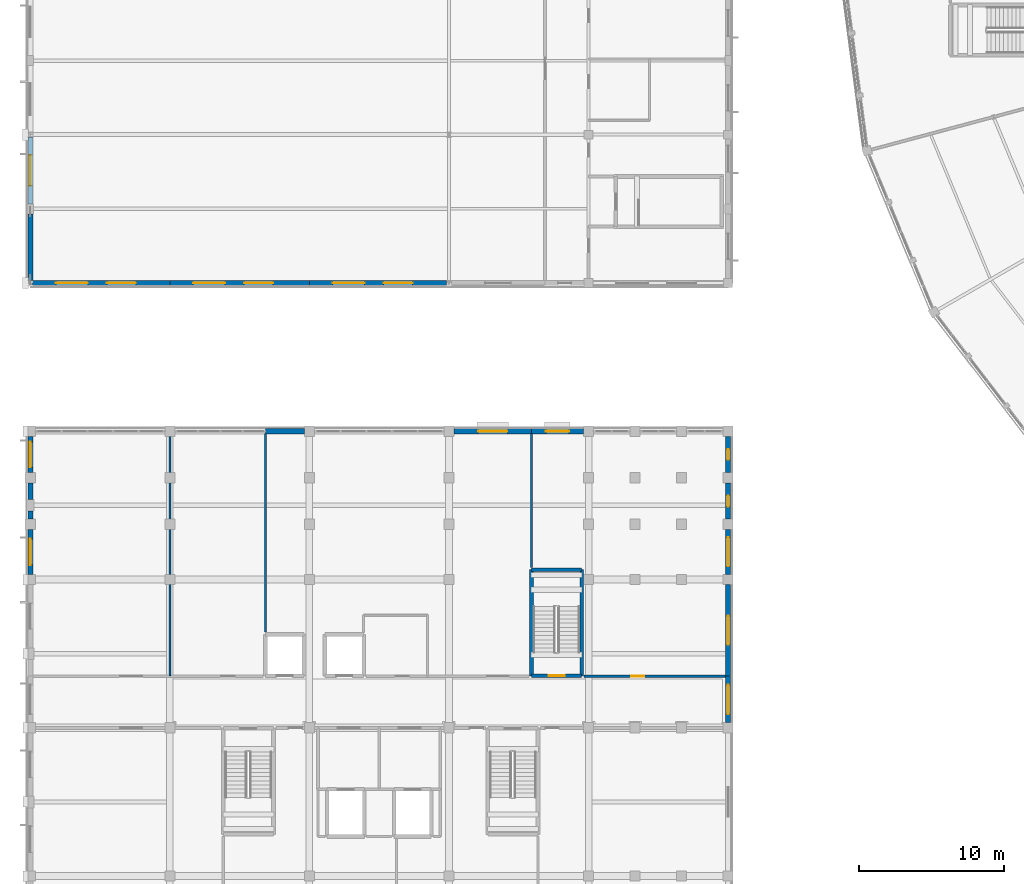
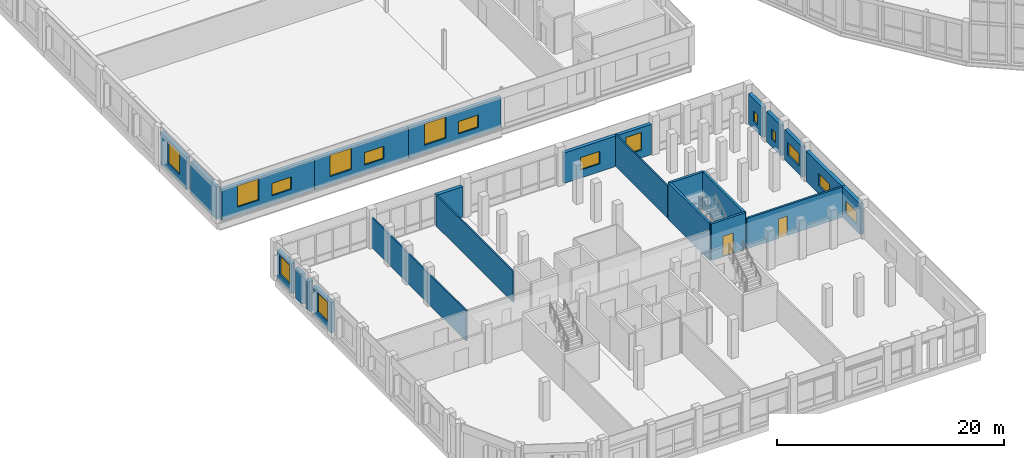
# One storey, part 157 of 185: 25 walls, 16 windows, 2 doors, 18 openings.
"""IFC4 building model written with IfcOpenShell, lengths in metres."""

from ifc_helpers import new_model, si_unit, direction, frame, frame_2d, origin, place, context, subcontext, project, spatial, rectangle, extrude, material, layer, layer_set, type_object, element, fill, save


model = new_model("IFC4")

# Units and contexts
model_context = context("Model", 3, precision=1e-05, world=origin(), true_north=direction((0.0, 1.0)))
body_context = subcontext(model_context, "Body", "Model", "MODEL_VIEW")
ifc_project = project(units=[si_unit("LENGTHUNIT", "METRE"), si_unit("AREAUNIT", "SQUARE_METRE"), si_unit("VOLUMEUNIT", "CUBIC_METRE"), si_unit("PLANEANGLEUNIT", "RADIAN"), si_unit("MASSUNIT", "GRAM", prefix="KILO")], contexts=[model_context])

# Site, building, storey
site_placement = place(None, origin())
site = spatial("IfcSite", under=ifc_project, at=site_placement, CompositionType="ELEMENT")
building_placement = place(site_placement, origin())
building = spatial("IfcBuilding", under=site, at=building_placement, Name="Vondelvale Polytechnic", CompositionType="ELEMENT")
storey_placement = place(building_placement, frame((0.0, 0.0, 9.60009765625)))
storey = spatial("IfcBuildingStorey", under=building, at=storey_placement, Name="L02", CompositionType="ELEMENT", Elevation=9.60009765625)

# Wall
ifc_material_1 = material(Name="Amsterdam School iron-spot clinker clay brickwork", Category="masonry")
ifc_layer_1 = layer(ifc_material_1, 0.35009765625)
ifc_layer_set_1 = layer_set([ifc_layer_1], Name="WL-BRICK-350")
wall_type_1 = type_object("IfcWallType", Name="WL-BRICK-350", PredefinedType="SOLIDWALL", material=ifc_layer_set_1)
wall_1_placement = place(storey_placement, frame((0.0, 51.16455078125, 0.0), z_axis=(0.0, 0.0, 1.0), x_axis=(0.0, 1.0, 0.0)))
element("IfcWall", 1, at=wall_1_placement, inside=storey, type_object=wall_type_1, Name="L02 exterior masonry facade wall", PredefinedType="SOLIDWALL", context=body_context, shape_type="SweptSolid", body=[
    extrude(rectangle(XDim=4.58447265625, YDim=0.35009765625, at=frame_2d((2.292236328125, 0.0))), origin(), (0.0, 0.0, 1.0), 3.47998046875),
])

# Wall, opening, window
wall_2_placement = place(storey_placement, frame((0.0, 56.450927734375, 0.0), z_axis=(0.0, 0.0, 1.0), x_axis=(0.0, 1.0, 0.0)))
wall_2 = element("IfcWall", 2, at=wall_2_placement, inside=storey, type_object=wall_type_1, Name="L02 exterior masonry facade wall", PredefinedType="SOLIDWALL", context=body_context, shape_type="SweptSolid", body=[
    extrude(rectangle(XDim=4.58447265625, YDim=0.35009765625, at=frame_2d((2.292236328125, 0.0))), origin(), (0.0, 0.0, 1.0), 3.47998046875),
])
opening_1_placement = place(wall_2_placement, frame((1.2421875, 0.0, 0.85009765625)))
opening_1 = element("IfcOpeningElement", 3, at=opening_1_placement, cuts=wall_2, Name="Opening WN-0081", PredefinedType="OPENING", context=body_context, shape_type="SweptSolid", body=[
    extrude(rectangle(XDim=2.10009765625, YDim=2.39990234375, at=frame_2d((1.050048828125, 1.199951171875))), frame((0.0, 0.18505859375, 0.0), z_axis=(0.0, -1.0, 0.0), x_axis=(1.0, 0.0, 0.0)), (0.0, 0.0, 1.0), 0.3701171875),
])
ifc_material_2 = material(Name="Double-glazed low-E insulated architectural glass", Category="glass")
window_type_1 = type_object("IfcWindowType", Name="WN-STUDIO-2100x2400", PartitioningType="SINGLE_PANEL", PredefinedType="WINDOW", material=ifc_material_2)
window_1_placement = place(opening_1_placement, origin())
window_1 = element("IfcWindow", 4, at=window_1_placement, inside=storey, type_object=window_type_1, Name="L02 double-glazed architectural window WN-0081", OverallHeight=2.39990234375, OverallWidth=2.10009765625, PartitioningType="SINGLE_PANEL", PredefinedType="WINDOW", context=body_context, shape_type="SweptSolid", body=[
    extrude(rectangle(XDim=2.10009765625, YDim=2.39990234375, at=frame_2d((1.050048828125, 1.199951171875))), frame((0.0, 0.030029296875, 0.0), z_axis=(0.0, -1.0, 0.0), x_axis=(1.0, 0.0, 0.0)), (0.0, 0.0, 1.0), 0.06005859375),
])
fill(opening_1, window_1)

# Wall, openings, windows
wall_3_placement = place(storey_placement, frame((9.60009765625, 51.0, 0.0), z_axis=(0.0, 0.0, 1.0), x_axis=(-1.0, 0.0, 0.0)))
wall_3 = element("IfcWall", 5, at=wall_3_placement, inside=storey, type_object=wall_type_1, Name="L02 exterior masonry facade wall", PredefinedType="SOLIDWALL", context=body_context, shape_type="SweptSolid", body=[
    extrude(rectangle(XDim=9.435546875, YDim=0.35009765625, at=frame_2d((4.7177734375, 0.0))), origin(), (0.0, 0.0, 1.0), 3.31982421875),
])
opening_2_placement = place(wall_3_placement, frame((5.635498046875, 0.0, 0.85009765625)))
opening_2 = element("IfcOpeningElement", 6, at=opening_2_placement, cuts=wall_3, Name="Opening WN-0106", PredefinedType="OPENING", context=body_context, shape_type="SweptSolid", body=[
    extrude(rectangle(XDim=2.199951171875, YDim=2.300048828125, at=frame_2d((1.10009765625, 1.14990234375))), frame((0.0, 0.18505859375, 0.0), z_axis=(0.0, -1.0, 0.0), x_axis=(1.0, 0.0, 0.0)), (0.0, 0.0, 1.0), 0.3701171875),
])
opening_3_placement = place(wall_3_placement, frame((2.33544921875, 0.0, 0.85009765625)))
opening_3 = element("IfcOpeningElement", 7, at=opening_3_placement, cuts=wall_3, Name="Opening WN-0107", PredefinedType="OPENING", context=body_context, shape_type="SweptSolid", body=[
    extrude(rectangle(XDim=2.0, YDim=1.35009765625, at=frame_2d((1.0, 0.675048828125))), frame((0.0, 0.18505859375, 0.0), z_axis=(0.0, -1.0, 0.0), x_axis=(1.0, 0.0, 0.0)), (0.0, 0.0, 1.0), 0.3701171875),
])
window_type_2 = type_object("IfcWindowType", Name="WN-RIB-2000x1350", PartitioningType="SINGLE_PANEL", PredefinedType="WINDOW", material=ifc_material_2)
window_2_placement = place(opening_3_placement, origin())
window_2 = element("IfcWindow", 8, at=window_2_placement, inside=storey, type_object=window_type_2, Name="L02 double-glazed architectural window WN-0107", OverallHeight=1.35009765625, OverallWidth=2.0, PartitioningType="SINGLE_PANEL", PredefinedType="WINDOW", context=body_context, shape_type="SweptSolid", body=[
    extrude(rectangle(XDim=2.0, YDim=1.35009765625, at=frame_2d((1.0, 0.675048828125))), frame((0.0, 0.030029296875, 0.0), z_axis=(0.0, -1.0, 0.0), x_axis=(1.0, 0.0, 0.0)), (0.0, 0.0, 1.0), 0.06005859375),
])
fill(opening_3, window_2)
window_type_3 = type_object("IfcWindowType", Name="WN-STUDIO-2200x2300", PartitioningType="SINGLE_PANEL", PredefinedType="WINDOW", material=ifc_material_2)
window_3_placement = place(opening_2_placement, origin())
window_3 = element("IfcWindow", 9, at=window_3_placement, inside=storey, type_object=window_type_3, Name="L02 double-glazed architectural window WN-0106", OverallHeight=2.300048828125, OverallWidth=2.199951171875, PartitioningType="SINGLE_PANEL", PredefinedType="WINDOW", context=body_context, shape_type="SweptSolid", body=[
    extrude(rectangle(XDim=2.199951171875, YDim=2.300048828125, at=frame_2d((1.10009765625, 1.14990234375))), frame((0.0, 0.030029296875, 0.0), z_axis=(0.0, -1.0, 0.0), x_axis=(1.0, 0.0, 0.0)), (0.0, 0.0, 1.0), 0.06005859375),
])
fill(opening_2, window_3)

wall_4_placement = place(storey_placement, frame((19.199951171875, 51.0, 0.0), z_axis=(0.0, 0.0, 1.0), x_axis=(-1.0, 0.0, 0.0)))
wall_4 = element("IfcWall", 10, at=wall_4_placement, inside=storey, type_object=wall_type_1, Name="L02 exterior masonry facade wall", PredefinedType="SOLIDWALL", context=body_context, shape_type="SweptSolid", body=[
    extrude(rectangle(XDim=9.599853515625, YDim=0.35009765625, at=frame_2d((4.7998046875, 0.0))), origin(), (0.0, 0.0, 1.0), 3.31982421875),
])
opening_4_placement = place(wall_4_placement, frame((5.800048828125, 0.0, 0.85009765625)))
opening_4 = element("IfcOpeningElement", 11, at=opening_4_placement, cuts=wall_4, Name="Opening WN-0108", PredefinedType="OPENING", context=body_context, shape_type="SweptSolid", body=[
    extrude(rectangle(XDim=2.199951171875, YDim=2.300048828125, at=frame_2d((1.10009765625, 1.14990234375))), frame((0.0, 0.18505859375, 0.0), z_axis=(0.0, -1.0, 0.0), x_axis=(1.0, 0.0, 0.0)), (0.0, 0.0, 1.0), 0.3701171875),
])
opening_5_placement = place(wall_4_placement, frame((2.5, 0.0, 0.85009765625)))
opening_5 = element("IfcOpeningElement", 12, at=opening_5_placement, cuts=wall_4, Name="Opening WN-0109", PredefinedType="OPENING", context=body_context, shape_type="SweptSolid", body=[
    extrude(rectangle(XDim=2.0, YDim=1.35009765625, at=frame_2d((1.0, 0.675048828125))), frame((0.0, 0.18505859375, 0.0), z_axis=(0.0, -1.0, 0.0), x_axis=(1.0, 0.0, 0.0)), (0.0, 0.0, 1.0), 0.3701171875),
])
window_4_placement = place(opening_5_placement, origin())
window_4 = element("IfcWindow", 13, at=window_4_placement, inside=storey, type_object=window_type_2, Name="L02 double-glazed architectural window WN-0109", OverallHeight=1.35009765625, OverallWidth=2.0, PartitioningType="SINGLE_PANEL", PredefinedType="WINDOW", context=body_context, shape_type="SweptSolid", body=[
    extrude(rectangle(XDim=2.0, YDim=1.35009765625, at=frame_2d((1.0, 0.675048828125))), frame((0.0, 0.030029296875, 0.0), z_axis=(0.0, -1.0, 0.0), x_axis=(1.0, 0.0, 0.0)), (0.0, 0.0, 1.0), 0.06005859375),
])
fill(opening_5, window_4)
window_5_placement = place(opening_4_placement, origin())
window_5 = element("IfcWindow", 14, at=window_5_placement, inside=storey, type_object=window_type_3, Name="L02 double-glazed architectural window WN-0108", OverallHeight=2.300048828125, OverallWidth=2.199951171875, PartitioningType="SINGLE_PANEL", PredefinedType="WINDOW", context=body_context, shape_type="SweptSolid", body=[
    extrude(rectangle(XDim=2.199951171875, YDim=2.300048828125, at=frame_2d((1.10009765625, 1.14990234375))), frame((0.0, 0.030029296875, 0.0), z_axis=(0.0, -1.0, 0.0), x_axis=(1.0, 0.0, 0.0)), (0.0, 0.0, 1.0), 0.06005859375),
])
fill(opening_4, window_5)

wall_5_placement = place(storey_placement, frame((28.635498046875, 51.0, 0.0), z_axis=(0.0, 0.0, 1.0), x_axis=(-1.0, 0.0, 0.0)))
wall_5 = element("IfcWall", 15, at=wall_5_placement, inside=storey, type_object=wall_type_1, Name="L02 exterior masonry facade wall", PredefinedType="SOLIDWALL", context=body_context, shape_type="SweptSolid", body=[
    extrude(rectangle(XDim=9.435546875, YDim=0.35009765625, at=frame_2d((4.7177734375, 0.0))), origin(), (0.0, 0.0, 1.0), 3.31982421875),
])
opening_6_placement = place(wall_5_placement, frame((5.635498046875, 0.0, 0.85009765625)))
opening_6 = element("IfcOpeningElement", 16, at=opening_6_placement, cuts=wall_5, Name="Opening WN-0110", PredefinedType="OPENING", context=body_context, shape_type="SweptSolid", body=[
    extrude(rectangle(XDim=2.199951171875, YDim=2.300048828125, at=frame_2d((1.10009765625, 1.14990234375))), frame((0.0, 0.18505859375, 0.0), z_axis=(0.0, -1.0, 0.0), x_axis=(1.0, 0.0, 0.0)), (0.0, 0.0, 1.0), 0.3701171875),
])
opening_7_placement = place(wall_5_placement, frame((2.33544921875, 0.0, 0.85009765625)))
opening_7 = element("IfcOpeningElement", 17, at=opening_7_placement, cuts=wall_5, Name="Opening WN-0111", PredefinedType="OPENING", context=body_context, shape_type="SweptSolid", body=[
    extrude(rectangle(XDim=2.0, YDim=1.35009765625, at=frame_2d((1.0, 0.675048828125))), frame((0.0, 0.18505859375, 0.0), z_axis=(0.0, -1.0, 0.0), x_axis=(1.0, 0.0, 0.0)), (0.0, 0.0, 1.0), 0.3701171875),
])
window_6_placement = place(opening_7_placement, origin())
window_6 = element("IfcWindow", 18, at=window_6_placement, inside=storey, type_object=window_type_2, Name="L02 double-glazed architectural window WN-0111", OverallHeight=1.35009765625, OverallWidth=2.0, PartitioningType="SINGLE_PANEL", PredefinedType="WINDOW", context=body_context, shape_type="SweptSolid", body=[
    extrude(rectangle(XDim=2.0, YDim=1.35009765625, at=frame_2d((1.0, 0.675048828125))), frame((0.0, 0.030029296875, 0.0), z_axis=(0.0, -1.0, 0.0), x_axis=(1.0, 0.0, 0.0)), (0.0, 0.0, 1.0), 0.06005859375),
])
fill(opening_7, window_6)
window_7_placement = place(opening_6_placement, origin())
window_7 = element("IfcWindow", 19, at=window_7_placement, inside=storey, type_object=window_type_3, Name="L02 double-glazed architectural window WN-0110", OverallHeight=2.300048828125, OverallWidth=2.199951171875, PartitioningType="SINGLE_PANEL", PredefinedType="WINDOW", context=body_context, shape_type="SweptSolid", body=[
    extrude(rectangle(XDim=2.199951171875, YDim=2.300048828125, at=frame_2d((1.10009765625, 1.14990234375))), frame((0.0, 0.030029296875, 0.0), z_axis=(0.0, -1.0, 0.0), x_axis=(1.0, 0.0, 0.0)), (0.0, 0.0, 1.0), 0.06005859375),
])
fill(opening_6, window_7)

# Wall, opening, window
wall_6_placement = place(storey_placement, frame((0.0, 30.950927734375, 0.0), z_axis=(0.0, 0.0, 1.0), x_axis=(0.0, 1.0, 0.0)))
wall_6 = element("IfcWall", 20, at=wall_6_placement, inside=storey, type_object=wall_type_1, Name="L02 exterior masonry facade wall", PredefinedType="SOLIDWALL", context=body_context, shape_type="SweptSolid", body=[
    extrude(rectangle(XDim=3.09814453125, YDim=0.35009765625, at=frame_2d((1.549072265625, 0.0))), origin(), (0.0, 0.0, 1.0), 3.27978515625),
])
opening_8_placement = place(wall_6_placement, frame((0.64892578125, 0.0, 0.85009765625)))
opening_8 = element("IfcOpeningElement", 21, at=opening_8_placement, cuts=wall_6, Name="Opening WN-0193", PredefinedType="OPENING", context=body_context, shape_type="SweptSolid", body=[
    extrude(rectangle(XDim=1.800048828125, YDim=2.10009765625, at=frame_2d((0.89990234375, 1.050048828125))), frame((0.0, 0.18505859375, 0.0), z_axis=(0.0, -1.0, 0.0), x_axis=(1.0, 0.0, 0.0)), (0.0, 0.0, 1.0), 0.3701171875),
])
window_type_4 = type_object("IfcWindowType", Name="WN-LAB-1800x2100", PartitioningType="SINGLE_PANEL", PredefinedType="WINDOW", material=ifc_material_2)
window_8_placement = place(opening_8_placement, origin())
window_8 = element("IfcWindow", 22, at=window_8_placement, inside=storey, type_object=window_type_4, Name="L02 double-glazed architectural window WN-0193", OverallHeight=2.10009765625, OverallWidth=1.800048828125, PartitioningType="SINGLE_PANEL", PredefinedType="WINDOW", context=body_context, shape_type="SweptSolid", body=[
    extrude(rectangle(XDim=1.800048828125, YDim=2.10009765625, at=frame_2d((0.89990234375, 1.050048828125))), frame((0.0, 0.030029296875, 0.0), z_axis=(0.0, -1.0, 0.0), x_axis=(1.0, 0.0, 0.0)), (0.0, 0.0, 1.0), 0.06005859375),
])
fill(opening_8, window_8)

# Walls
wall_7_placement = place(storey_placement, frame((0.0, 34.7509765625, 0.0), z_axis=(0.0, 0.0, 1.0), x_axis=(0.0, 1.0, 0.0)))
element("IfcWall", 23, at=wall_7_placement, inside=storey, type_object=wall_type_1, Name="L02 exterior masonry facade wall", PredefinedType="SOLIDWALL", context=body_context, shape_type="SweptSolid", body=[
    extrude(rectangle(XDim=0.548095703125, YDim=0.35009765625, at=frame_2d((0.27392578125, 0.0))), origin(), (0.0, 0.0, 1.0), 3.27978515625),
])
wall_8_placement = place(storey_placement, frame((0.0, 36.10107421875, 0.0), z_axis=(0.0, 0.0, 1.0), x_axis=(0.0, 1.0, 0.0)))
element("IfcWall", 24, at=wall_8_placement, inside=storey, type_object=wall_type_1, Name="L02 exterior masonry facade wall", PredefinedType="SOLIDWALL", context=body_context, shape_type="SweptSolid", body=[
    extrude(rectangle(XDim=1.14794921875, YDim=0.35009765625, at=frame_2d((0.573974609375, 0.0))), origin(), (0.0, 0.0, 1.0), 3.27978515625),
])

# Wall, opening, window
wall_9_placement = place(storey_placement, frame((0.0, 37.950927734375, 0.0), z_axis=(0.0, 0.0, 1.0), x_axis=(0.0, 1.0, 0.0)))
wall_9 = element("IfcWall", 25, at=wall_9_placement, inside=storey, type_object=wall_type_1, Name="L02 exterior masonry facade wall", PredefinedType="SOLIDWALL", context=body_context, shape_type="SweptSolid", body=[
    extrude(rectangle(XDim=2.498046875, YDim=0.35009765625, at=frame_2d((1.2490234375, 0.0))), origin(), (0.0, 0.0, 1.0), 3.27978515625),
])
opening_9_placement = place(wall_9_placement, frame((0.3740234375, 0.0, 0.85009765625)))
opening_9 = element("IfcOpeningElement", 26, at=opening_9_placement, cuts=wall_9, Name="Opening WN-0194", PredefinedType="OPENING", context=body_context, shape_type="SweptSolid", body=[
    extrude(rectangle(XDim=1.75, YDim=2.050048828125, at=frame_2d((0.875, 1.02490234375))), frame((0.0, 0.18505859375, 0.0), z_axis=(0.0, -1.0, 0.0), x_axis=(1.0, 0.0, 0.0)), (0.0, 0.0, 1.0), 0.3701171875),
])
window_type_5 = type_object("IfcWindowType", Name="WN-LAB-1750x2050", PartitioningType="SINGLE_PANEL", PredefinedType="WINDOW", material=ifc_material_2)
window_9_placement = place(opening_9_placement, origin())
window_9 = element("IfcWindow", 27, at=window_9_placement, inside=storey, type_object=window_type_5, Name="L02 double-glazed architectural window WN-0194", OverallHeight=2.050048828125, OverallWidth=1.75, PartitioningType="SINGLE_PANEL", PredefinedType="WINDOW", context=body_context, shape_type="SweptSolid", body=[
    extrude(rectangle(XDim=1.75, YDim=2.050048828125, at=frame_2d((0.875, 1.02490234375))), frame((0.0, 0.030029296875, 0.0), z_axis=(0.0, -1.0, 0.0), x_axis=(1.0, 0.0, 0.0)), (0.0, 0.0, 1.0), 0.06005859375),
])
fill(opening_9, window_9)

wall_10_placement = place(storey_placement, frame((48.0, 23.949951171875, 0.0), z_axis=(0.0, 0.0, 1.0), x_axis=(0.0, -1.0, 0.0)))
wall_10 = element("IfcWall", 28, at=wall_10_placement, inside=storey, type_object=wall_type_1, Name="L02 exterior masonry facade wall", PredefinedType="SOLIDWALL", context=body_context, shape_type="SweptSolid", body=[
    extrude(rectangle(XDim=3.198974609375, YDim=0.35009765625, at=frame_2d((1.599609375, 0.0))), origin(), (0.0, 0.0, 1.0), 3.27978515625),
])
opening_10_placement = place(wall_10_placement, frame((0.599609375, 0.0, 0.75)))
opening_10 = element("IfcOpeningElement", 29, at=opening_10_placement, cuts=wall_10, Name="Opening WN-0197", PredefinedType="OPENING", context=body_context, shape_type="SweptSolid", body=[
    extrude(rectangle(XDim=2.0, YDim=1.35009765625, at=frame_2d((1.0, 0.675048828125))), frame((0.0, 0.18505859375, 0.0), z_axis=(0.0, -1.0, 0.0), x_axis=(1.0, 0.0, 0.0)), (0.0, 0.0, 1.0), 0.3701171875),
])
window_10_placement = place(opening_10_placement, origin())
window_10 = element("IfcWindow", 30, at=window_10_placement, inside=storey, type_object=window_type_2, Name="L02 double-glazed architectural window WN-0197", OverallHeight=1.35009765625, OverallWidth=2.0, PartitioningType="SINGLE_PANEL", PredefinedType="WINDOW", context=body_context, shape_type="SweptSolid", body=[
    extrude(rectangle(XDim=2.0, YDim=1.35009765625, at=frame_2d((1.0, 0.675048828125))), frame((0.0, 0.030029296875, 0.0), z_axis=(0.0, -1.0, 0.0), x_axis=(1.0, 0.0, 0.0)), (0.0, 0.0, 1.0), 0.06005859375),
])
fill(opening_10, window_10)

wall_11_placement = place(storey_placement, frame((48.0, 30.2490234375, 0.0), z_axis=(0.0, 0.0, 1.0), x_axis=(0.0, -1.0, 0.0)))
wall_11 = element("IfcWall", 31, at=wall_11_placement, inside=storey, type_object=wall_type_1, Name="L02 exterior masonry facade wall", PredefinedType="SOLIDWALL", context=body_context, shape_type="SweptSolid", body=[
    extrude(rectangle(XDim=6.299072265625, YDim=0.35009765625, at=frame_2d((3.1494140625, 0.0))), origin(), (0.0, 0.0, 1.0), 3.27978515625),
])
opening_11_placement = place(wall_11_placement, frame((2.1494140625, 0.0, 0.85009765625)))
opening_11 = element("IfcOpeningElement", 32, at=opening_11_placement, cuts=wall_11, Name="Opening WN-0198", PredefinedType="OPENING", context=body_context, shape_type="SweptSolid", body=[
    extrude(rectangle(XDim=2.0, YDim=1.35009765625, at=frame_2d((1.0, 0.675048828125))), frame((0.0, 0.18505859375, 0.0), z_axis=(0.0, -1.0, 0.0), x_axis=(1.0, 0.0, 0.0)), (0.0, 0.0, 1.0), 0.3701171875),
])
window_11_placement = place(opening_11_placement, origin())
window_11 = element("IfcWindow", 33, at=window_11_placement, inside=storey, type_object=window_type_2, Name="L02 double-glazed architectural window WN-0198", OverallHeight=1.35009765625, OverallWidth=2.0, PartitioningType="SINGLE_PANEL", PredefinedType="WINDOW", context=body_context, shape_type="SweptSolid", body=[
    extrude(rectangle(XDim=2.0, YDim=1.35009765625, at=frame_2d((1.0, 0.675048828125))), frame((0.0, 0.030029296875, 0.0), z_axis=(0.0, -1.0, 0.0), x_axis=(1.0, 0.0, 0.0)), (0.0, 0.0, 1.0), 0.06005859375),
])
fill(opening_11, window_11)

wall_12_placement = place(storey_placement, frame((48.0, 40.448974609375, 0.0), z_axis=(0.0, 0.0, 1.0), x_axis=(0.0, -1.0, 0.0)))
wall_12 = element("IfcWall", 34, at=wall_12_placement, inside=storey, type_object=wall_type_1, Name="L02 exterior masonry facade wall", PredefinedType="SOLIDWALL", context=body_context, shape_type="SweptSolid", body=[
    extrude(rectangle(XDim=2.498046875, YDim=0.35009765625, at=frame_2d((1.2490234375, 0.0))), origin(), (0.0, 0.0, 1.0), 3.27978515625),
])
opening_12_placement = place(wall_12_placement, frame((0.8740234375, 0.0, 0.85009765625)))
opening_12 = element("IfcOpeningElement", 35, at=opening_12_placement, cuts=wall_12, Name="Opening WN-0199", PredefinedType="OPENING", context=body_context, shape_type="SweptSolid", body=[
    extrude(rectangle(XDim=0.75, YDim=1.10009765625, at=frame_2d((0.375, 0.550048828125))), frame((0.0, 0.18505859375, 0.0), z_axis=(0.0, -1.0, 0.0), x_axis=(1.0, 0.0, 0.0)), (0.0, 0.0, 1.0), 0.3701171875),
])
window_type_6 = type_object("IfcWindowType", Name="WN-WC-0750x1100", PartitioningType="SINGLE_PANEL", PredefinedType="WINDOW", material=ifc_material_2)
window_12_placement = place(opening_12_placement, origin())
window_12 = element("IfcWindow", 36, at=window_12_placement, inside=storey, type_object=window_type_6, Name="L02 double-glazed architectural window WN-0199", OverallHeight=1.10009765625, OverallWidth=0.75, PartitioningType="SINGLE_PANEL", PredefinedType="WINDOW", context=body_context, shape_type="SweptSolid", body=[
    extrude(rectangle(XDim=0.75, YDim=1.10009765625, at=frame_2d((0.375, 0.550048828125))), frame((0.0, 0.030029296875, 0.0), z_axis=(0.0, -1.0, 0.0), x_axis=(1.0, 0.0, 0.0)), (0.0, 0.0, 1.0), 0.06005859375),
])
fill(opening_12, window_12)

wall_13_placement = place(storey_placement, frame((48.0, 37.2490234375, 0.0), z_axis=(0.0, 0.0, 1.0), x_axis=(0.0, -1.0, 0.0)))
wall_13 = element("IfcWall", 37, at=wall_13_placement, inside=storey, type_object=wall_type_1, Name="L02 exterior masonry facade wall", PredefinedType="SOLIDWALL", context=body_context, shape_type="SweptSolid", body=[
    extrude(rectangle(XDim=2.498046875, YDim=0.35009765625, at=frame_2d((1.2490234375, 0.0))), origin(), (0.0, 0.0, 1.0), 3.27978515625),
])
opening_13_placement = place(wall_13_placement, frame((0.8740234375, 0.0, 0.85009765625)))
opening_13 = element("IfcOpeningElement", 38, at=opening_13_placement, cuts=wall_13, Name="Opening WN-0200", PredefinedType="OPENING", context=body_context, shape_type="SweptSolid", body=[
    extrude(rectangle(XDim=0.75, YDim=1.10009765625, at=frame_2d((0.375, 0.550048828125))), frame((0.0, 0.18505859375, 0.0), z_axis=(0.0, -1.0, 0.0), x_axis=(1.0, 0.0, 0.0)), (0.0, 0.0, 1.0), 0.3701171875),
])
window_13_placement = place(opening_13_placement, origin())
window_13 = element("IfcWindow", 39, at=window_13_placement, inside=storey, type_object=window_type_6, Name="L02 double-glazed architectural window WN-0200", OverallHeight=1.10009765625, OverallWidth=0.75, PartitioningType="SINGLE_PANEL", PredefinedType="WINDOW", context=body_context, shape_type="SweptSolid", body=[
    extrude(rectangle(XDim=0.75, YDim=1.10009765625, at=frame_2d((0.375, 0.550048828125))), frame((0.0, 0.030029296875, 0.0), z_axis=(0.0, -1.0, 0.0), x_axis=(1.0, 0.0, 0.0)), (0.0, 0.0, 1.0), 0.06005859375),
])
fill(opening_13, window_13)

wall_14_placement = place(storey_placement, frame((48.0, 34.049072265625, 0.0), z_axis=(0.0, 0.0, 1.0), x_axis=(0.0, -1.0, 0.0)))
wall_14 = element("IfcWall", 40, at=wall_14_placement, inside=storey, type_object=wall_type_1, Name="L02 exterior masonry facade wall", PredefinedType="SOLIDWALL", context=body_context, shape_type="SweptSolid", body=[
    extrude(rectangle(XDim=3.09814453125, YDim=0.35009765625, at=frame_2d((1.549072265625, 0.0))), origin(), (0.0, 0.0, 1.0), 3.27978515625),
])
opening_14_placement = place(wall_14_placement, frame((0.549072265625, 0.0, 0.85009765625)))
opening_14 = element("IfcOpeningElement", 41, at=opening_14_placement, cuts=wall_14, Name="Opening WN-0201", PredefinedType="OPENING", context=body_context, shape_type="SweptSolid", body=[
    extrude(rectangle(XDim=2.0, YDim=1.35009765625, at=frame_2d((1.0, 0.675048828125))), frame((0.0, 0.18505859375, 0.0), z_axis=(0.0, -1.0, 0.0), x_axis=(1.0, 0.0, 0.0)), (0.0, 0.0, 1.0), 0.3701171875),
])
window_14_placement = place(opening_14_placement, origin())
window_14 = element("IfcWindow", 42, at=window_14_placement, inside=storey, type_object=window_type_2, Name="L02 double-glazed architectural window WN-0201", OverallHeight=1.35009765625, OverallWidth=2.0, PartitioningType="SINGLE_PANEL", PredefinedType="WINDOW", context=body_context, shape_type="SweptSolid", body=[
    extrude(rectangle(XDim=2.0, YDim=1.35009765625, at=frame_2d((1.0, 0.675048828125))), frame((0.0, 0.030029296875, 0.0), z_axis=(0.0, -1.0, 0.0), x_axis=(1.0, 0.0, 0.0)), (0.0, 0.0, 1.0), 0.06005859375),
])
fill(opening_14, window_14)

# Wall
wall_15_placement = place(storey_placement, frame((16.175048828125, 40.800048828125, 0.0), z_axis=(0.0, 0.0, 1.0), x_axis=(1.0, 0.0, 0.0)))
element("IfcWall", 43, at=wall_15_placement, inside=storey, type_object=wall_type_1, Name="L02 exterior masonry facade wall", PredefinedType="SOLIDWALL", context=body_context, shape_type="SweptSolid", body=[
    extrude(rectangle(XDim=2.674072265625, YDim=0.35009765625, at=frame_2d((1.3369140625, 0.0))), origin(), (0.0, 0.0, 1.0), 3.27978515625),
])

# Wall, opening, window
wall_16_placement = place(storey_placement, frame((29.15087890625, 40.800048828125, 0.0), z_axis=(0.0, 0.0, 1.0), x_axis=(1.0, 0.0, 0.0)))
wall_16 = element("IfcWall", 44, at=wall_16_placement, inside=storey, type_object=wall_type_1, Name="L02 exterior masonry facade wall", PredefinedType="SOLIDWALL", context=body_context, shape_type="SweptSolid", body=[
    extrude(rectangle(XDim=5.32421875, YDim=0.35009765625, at=frame_2d((2.662109375, 0.0))), origin(), (0.0, 0.0, 1.0), 3.27978515625),
])
opening_15_placement = place(wall_16_placement, frame((1.662109375, 0.0, 0.85009765625)))
opening_15 = element("IfcOpeningElement", 45, at=opening_15_placement, cuts=wall_16, Name="Opening WN-0202", PredefinedType="OPENING", context=body_context, shape_type="SweptSolid", body=[
    extrude(rectangle(XDim=2.0, YDim=1.35009765625, at=frame_2d((1.0, 0.675048828125))), frame((0.0, 0.18505859375, 0.0), z_axis=(0.0, -1.0, 0.0), x_axis=(1.0, 0.0, 0.0)), (0.0, 0.0, 1.0), 0.3701171875),
])
window_15_placement = place(opening_15_placement, origin())
window_15 = element("IfcWindow", 46, at=window_15_placement, inside=storey, type_object=window_type_2, Name="L02 double-glazed architectural window WN-0202", OverallHeight=1.35009765625, OverallWidth=2.0, PartitioningType="SINGLE_PANEL", PredefinedType="WINDOW", context=body_context, shape_type="SweptSolid", body=[
    extrude(rectangle(XDim=2.0, YDim=1.35009765625, at=frame_2d((1.0, 0.675048828125))), frame((0.0, 0.030029296875, 0.0), z_axis=(0.0, -1.0, 0.0), x_axis=(1.0, 0.0, 0.0)), (0.0, 0.0, 1.0), 0.06005859375),
])
fill(opening_15, window_15)

wall_17_placement = place(storey_placement, frame((34.47509765625, 40.800048828125, 0.0), z_axis=(0.0, 0.0, 1.0), x_axis=(1.0, 0.0, 0.0)))
wall_17 = element("IfcWall", 47, at=wall_17_placement, inside=storey, type_object=wall_type_1, Name="L02 exterior masonry facade wall", PredefinedType="SOLIDWALL", context=body_context, shape_type="SweptSolid", body=[
    extrude(rectangle(XDim=3.573974609375, YDim=0.35009765625, at=frame_2d((1.787109375, 0.0))), origin(), (0.0, 0.0, 1.0), 3.27978515625),
])
opening_16_placement = place(wall_17_placement, frame((0.987060546875, 0.0, 0.85009765625)))
opening_16 = element("IfcOpeningElement", 48, at=opening_16_placement, cuts=wall_17, Name="Opening WN-0203", PredefinedType="OPENING", context=body_context, shape_type="SweptSolid", body=[
    extrude(rectangle(XDim=1.60009765625, YDim=1.89990234375, at=frame_2d((0.800048828125, 0.949951171875))), frame((0.0, 0.18505859375, 0.0), z_axis=(0.0, -1.0, 0.0), x_axis=(1.0, 0.0, 0.0)), (0.0, 0.0, 1.0), 0.3701171875),
])
window_type_7 = type_object("IfcWindowType", Name="WN-SEM-1600x1900", PartitioningType="SINGLE_PANEL", PredefinedType="WINDOW", material=ifc_material_2)
window_16_placement = place(opening_16_placement, origin())
window_16 = element("IfcWindow", 49, at=window_16_placement, inside=storey, type_object=window_type_7, Name="L02 double-glazed architectural window WN-0203", OverallHeight=1.89990234375, OverallWidth=1.60009765625, PartitioningType="SINGLE_PANEL", PredefinedType="WINDOW", context=body_context, shape_type="SweptSolid", body=[
    extrude(rectangle(XDim=1.60009765625, YDim=1.89990234375, at=frame_2d((0.800048828125, 0.949951171875))), frame((0.0, 0.030029296875, 0.0), z_axis=(0.0, -1.0, 0.0), x_axis=(1.0, 0.0, 0.0)), (0.0, 0.0, 1.0), 0.06005859375),
])
fill(opening_16, window_16)

# Walls
ifc_material_3 = material(Name="Concrete N40 (f'c = 40 MPa)", Category="concrete")
ifc_layer_2 = layer(ifc_material_3, 0.25)
ifc_layer_set_2 = layer_set([ifc_layer_2], Name="WL-CORE-250")
wall_type_2 = type_object("IfcWallType", Name="WL-CORE-250", PredefinedType="SOLIDWALL", material=ifc_layer_set_2)
wall_18_placement = place(storey_placement, frame((37.925048828125, 23.97509765625, 0.0), z_axis=(0.0, 0.0, 1.0), x_axis=(0.0, 1.0, 0.0)))
element("IfcWall", 50, at=wall_18_placement, inside=storey, type_object=wall_type_2, Name="L02 ST-05 reinforced concrete stair core wall", PredefinedType="SOLIDWALL", context=body_context, shape_type="SweptSolid", body=[
    extrude(rectangle(XDim=7.2998046875, YDim=0.25, at=frame_2d((3.64990234375, 0.0))), origin(), (0.0, 0.0, 1.0), 3.949951171875),
])
wall_19_placement = place(storey_placement, frame((37.925048828125, 31.27490234375, 0.0), z_axis=(0.0, 0.0, 1.0), x_axis=(-1.0, 0.0, 0.0)))
element("IfcWall", 51, at=wall_19_placement, inside=storey, type_object=wall_type_2, Name="L02 ST-05 reinforced concrete stair core wall", PredefinedType="SOLIDWALL", context=body_context, shape_type="SweptSolid", body=[
    extrude(rectangle(XDim=3.449951171875, YDim=0.25, at=frame_2d((1.72509765625, 0.0))), origin(), (0.0, 0.0, 1.0), 3.949951171875),
])
wall_20_placement = place(storey_placement, frame((34.47509765625, 31.27490234375, 0.0), z_axis=(0.0, 0.0, 1.0), x_axis=(0.0, -1.0, 0.0)))
element("IfcWall", 52, at=wall_20_placement, inside=storey, type_object=wall_type_2, Name="L02 ST-05 reinforced concrete stair core wall", PredefinedType="SOLIDWALL", context=body_context, shape_type="SweptSolid", body=[
    extrude(rectangle(XDim=7.2998046875, YDim=0.25, at=frame_2d((3.64990234375, 0.0))), origin(), (0.0, 0.0, 1.0), 3.949951171875),
])

# Wall, opening, door
wall_21_placement = place(storey_placement, frame((34.47509765625, 23.97509765625, 0.0), z_axis=(0.0, 0.0, 1.0), x_axis=(1.0, 0.0, 0.0)))
wall_21 = element("IfcWall", 53, at=wall_21_placement, inside=storey, type_object=wall_type_2, Name="L02 ST-05 reinforced concrete stair core wall", PredefinedType="SOLIDWALL", context=body_context, shape_type="SweptSolid", body=[
    extrude(rectangle(XDim=3.449951171875, YDim=0.25, at=frame_2d((1.72509765625, 0.0))), origin(), (0.0, 0.0, 1.0), 3.949951171875),
])
opening_17_placement = place(wall_21_placement, frame((1.175048828125, 0.0, 0.0)))
opening_17 = element("IfcOpeningElement", 54, at=opening_17_placement, cuts=wall_21, Name="Opening SD-030", PredefinedType="OPENING", context=body_context, shape_type="SweptSolid", body=[
    extrude(rectangle(XDim=1.10009765625, YDim=2.199951171875, at=frame_2d((0.550048828125, 1.10009765625))), frame((0.0, 0.135009765625, 0.0), z_axis=(0.0, -1.0, 0.0), x_axis=(1.0, 0.0, 0.0)), (0.0, 0.0, 1.0), 0.27001953125),
])
ifc_material_4 = material(Name="Brushed architectural stainless and zinc-coated metal")
door_type_1 = type_object("IfcDoorType", Name="DR-STAIR-1100x2200", OperationType="SINGLE_SWING_LEFT", PredefinedType="DOOR", material=ifc_material_4)
door_1_placement = place(opening_17_placement, origin())
door_1 = element("IfcDoor", 55, at=door_1_placement, inside=storey, type_object=door_type_1, Name="L02 ST-05 fire-isolated stair door", OperationType="SINGLE_SWING_RIGHT", OverallHeight=2.199951171875, OverallWidth=1.10009765625, PredefinedType="DOOR", context=body_context, shape_type="SweptSolid", body=[
    extrude(rectangle(XDim=1.10009765625, YDim=2.199951171875, at=frame_2d((0.550048828125, 1.10009765625))), frame((0.0, 0.02490234375, 0.0), z_axis=(0.0, -1.0, 0.0), x_axis=(1.0, 0.0, 0.0)), (0.0, 0.0, 1.0), 0.050048828125),
])
fill(opening_17, door_1)

ifc_material_5 = material(Name="Fire-rated double-layer plasterboard stud partition")
ifc_layer_3 = layer(ifc_material_5, 0.199951171875)
ifc_layer_set_3 = layer_set([ifc_layer_3], Name="WL-CORR-200")
wall_type_3 = type_object("IfcWallType", Name="WL-CORR-200", PredefinedType="PARTITIONING", material=ifc_layer_set_3)
wall_22_placement = place(storey_placement, frame((38.090087890625, 23.949951171875, 0.0), z_axis=(0.0, 0.0, 1.0), x_axis=(1.0, 0.0, 0.0)))
wall_22 = element("IfcWall", 56, at=wall_22_placement, inside=storey, type_object=wall_type_3, Name="L02 interior acoustic partition", PredefinedType="PARTITIONING", context=body_context, shape_type="SweptSolid", body=[
    extrude(rectangle(XDim=9.760009765625, YDim=0.199951171875, at=frame_2d((4.8798828125, 0.0))), origin(), (0.0, 0.0, 1.0), 3.27978515625),
])
opening_18_placement = place(wall_22_placement, frame((3.235107421875, 0.0, 0.0)))
opening_18 = element("IfcOpeningElement", 57, at=opening_18_placement, cuts=wall_22, Name="Opening ID-0166", PredefinedType="OPENING", context=body_context, shape_type="SweptSolid", body=[
    extrude(rectangle(XDim=0.919921875, YDim=2.10009765625, at=frame_2d((0.4599609375, 1.050048828125))), frame((0.0, 0.10986328125, 0.0), z_axis=(0.0, -1.0, 0.0), x_axis=(1.0, 0.0, 0.0)), (0.0, 0.0, 1.0), 0.219970703125),
])
ifc_material_6 = material(Name="Fire-rated solid Tasmanian oak joinery")
door_type_2 = type_object("IfcDoorType", Name="DR-INT-0920x2100", OperationType="SINGLE_SWING_LEFT", PredefinedType="DOOR", material=ifc_material_6)
door_2_placement = place(opening_18_placement, origin())
door_2 = element("IfcDoor", 58, at=door_2_placement, inside=storey, type_object=door_type_2, Name="L02 interior room door ID-0166", OperationType="SINGLE_SWING_RIGHT", OverallHeight=2.10009765625, OverallWidth=0.919921875, PredefinedType="DOOR", context=body_context, shape_type="SweptSolid", body=[
    extrude(rectangle(XDim=0.919921875, YDim=2.10009765625, at=frame_2d((0.4599609375, 1.050048828125))), frame((0.0, 0.02490234375, 0.0), z_axis=(0.0, -1.0, 0.0), x_axis=(1.0, 0.0, 0.0)), (0.0, 0.0, 1.0), 0.050048828125),
])
fill(opening_18, door_2)

# Walls
ifc_layer_4 = layer(ifc_material_5, 0.14990234375)
ifc_layer_set_4 = layer_set([ifc_layer_4], Name="WL-INT-150")
wall_type_4 = type_object("IfcWallType", Name="WL-INT-150", PredefinedType="PARTITIONING", material=ifc_layer_set_4)
wall_23_placement = place(storey_placement, frame((9.60009765625, 23.949951171875, 0.0), z_axis=(0.0, 0.0, 1.0), x_axis=(0.0, 1.0, 0.0)))
element("IfcWall", 59, at=wall_23_placement, inside=storey, type_object=wall_type_4, Name="L02 interior acoustic partition", PredefinedType="PARTITIONING", context=body_context, shape_type="SweptSolid", body=[
    extrude(rectangle(XDim=16.699951171875, YDim=0.14990234375, at=frame_2d((8.35009765625, 0.0))), origin(), (0.0, 0.0, 1.0), 3.27978515625),
])
wall_24_placement = place(storey_placement, frame((16.175048828125, 26.989990234375, 0.0), z_axis=(0.0, 0.0, 1.0), x_axis=(0.0, 1.0, 0.0)))
element("IfcWall", 60, at=wall_24_placement, inside=storey, type_object=wall_type_4, Name="L02 interior acoustic partition", PredefinedType="PARTITIONING", context=body_context, shape_type="SweptSolid", body=[
    extrude(rectangle(XDim=13.659912109375, YDim=0.14990234375, at=frame_2d((6.830078125, 0.0))), origin(), (0.0, 0.0, 1.0), 3.329833984375),
])
wall_25_placement = place(storey_placement, frame((34.47509765625, 31.43994140625, 0.0), z_axis=(0.0, 0.0, 1.0), x_axis=(0.0, 1.0, 0.0)))
element("IfcWall", 61, at=wall_25_placement, inside=storey, type_object=wall_type_4, Name="L02 interior acoustic partition", PredefinedType="PARTITIONING", context=body_context, shape_type="SweptSolid", body=[
    extrude(rectangle(XDim=9.2099609375, YDim=0.14990234375, at=frame_2d((4.60498046875, 0.0))), origin(), (0.0, 0.0, 1.0), 3.429931640625),
])

save(model, "model.ifc")
